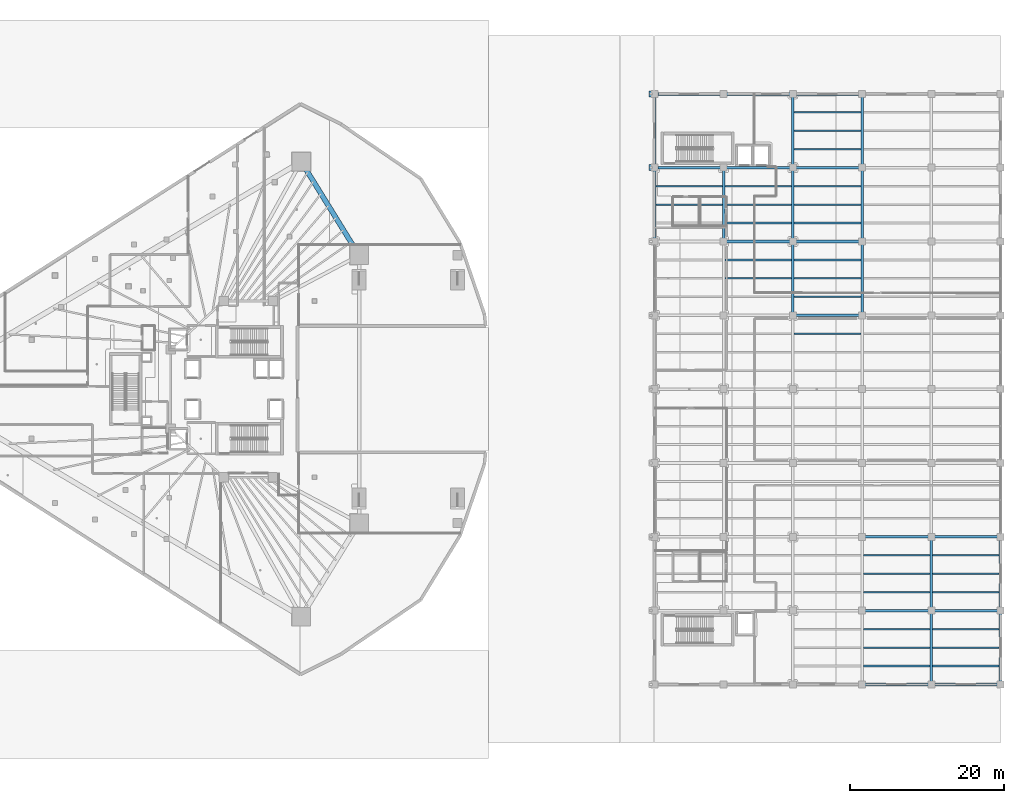
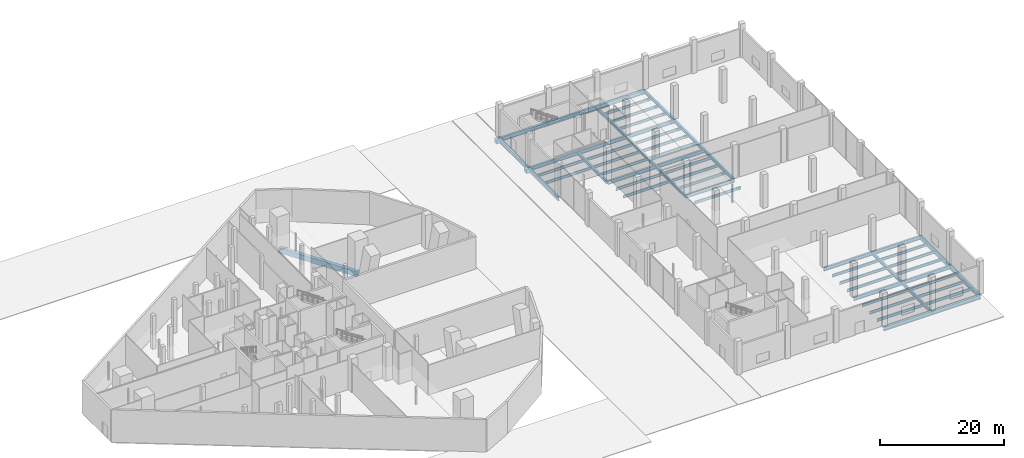
# One storey, part 11 of 45: 60 beams.
"""IFC4 building model written with IfcOpenShell, lengths in metres."""

from ifc_helpers import new_model, si_unit, direction, frame, origin, origin_2d, place, context, subcontext, project, spatial, rectangle, i_section, extrude, material, material_profile, profile_set, type_object, element, save


model = new_model("IFC4")

# Units and contexts
model_context = context("Model", 3, precision=1e-05, world=origin(), true_north=direction((0.0, 1.0)))
body_context = subcontext(model_context, "Body", "Model", "MODEL_VIEW")
ifc_project = project(units=[si_unit("LENGTHUNIT", "METRE"), si_unit("AREAUNIT", "SQUARE_METRE"), si_unit("VOLUMEUNIT", "CUBIC_METRE"), si_unit("PLANEANGLEUNIT", "RADIAN"), si_unit("MASSUNIT", "GRAM", prefix="KILO")], contexts=[model_context])

# Site, building, storey
site_placement = place(None, origin())
site = spatial("IfcSite", under=ifc_project, at=site_placement, CompositionType="ELEMENT")
building_placement = place(site_placement, origin())
building = spatial("IfcBuilding", under=site, at=building_placement, Name="Qorvath Tower", CompositionType="ELEMENT")
storey_placement = place(building_placement, origin())
storey = spatial("IfcBuildingStorey", under=building, at=storey_placement, Name="L00", CompositionType="ELEMENT", Elevation=0.0)

# Beams
ifc_material_1 = material(Name="Concrete C50/60", Category="concrete")
ifc_material_profile_1 = material_profile(ifc_material_1, rectangle(XDim=0.800048828125, YDim=0.800048828125, at=origin_2d()), Name="RC 800x800")
ifc_profile_set_1 = profile_set([ifc_material_profile_1], Name="Concrete C50/60")
beam_type_1 = type_object("IfcBeamType", Name="BM-CRB1", PredefinedType="BEAM", material=ifc_profile_set_1)
for number, where, z_axis, x_axis, name in (
    (1, (32.85009765625, 28.800048828125, -0.75), (-1.0, 0.0, 0.0), (0.0, -1.0, 0.0), "MJ-1 RC Bearing Corbel Bracket 08"),
    (2, (32.85009765625, 38.39990234375, -0.75), (-1.0, 0.0, 0.0), (0.0, -1.0, 0.0), "MJ-1 RC Bearing Corbel Bracket 09"),
):
    element("IfcBeam", number, at=place(storey_placement, frame(where, z_axis=z_axis, x_axis=x_axis)), inside=storey, type_object=beam_type_1, Name=name, PredefinedType="BEAM", context=body_context, shape_type="SweptSolid", body=[
        extrude(rectangle(XDim=0.800048828125, YDim=0.800048828125, at=origin_2d()), origin(), (0.0, 0.0, 1.0), 1.150146484375),
    ])
ifc_material_2 = material(Name="Steel ASTM A992 Grade 50", Category="steel")
ifc_material_profile_2 = material_profile(ifc_material_2, i_section(OverallWidth=0.381103515625, OverallDepth=0.77294921875, WebThickness=0.0166015625, FlangeThickness=0.027099609375, FilletRadius=0.01904296875, at=origin_2d()), Name="W30x173")
ifc_profile_set_2 = profile_set([ifc_material_profile_2], Name="Steel ASTM A992 Grade 50")
beam_type_2 = type_object("IfcBeamType", Name="BM-FG3", PredefinedType="BEAM", material=ifc_profile_set_2)
for number, where, z_axis, x_axis, name in (
    (3, (59.39990234375, -38.39990234375, -0.6865234375), (1.0, 0.0, 0.0), (0.0, 1.0, 0.0), "Library E-W Girder L00-1-4"),
    (4, (68.39990234375, -38.39990234375, -0.6865234375), (1.0, 0.0, 0.0), (0.0, 1.0, 0.0), "Library E-W Girder L00-1-5"),
    (5, (32.39990234375, 38.39990234375, -0.6865234375), (1.0, 0.0, 0.0), (0.0, 1.0, 0.0), "Library E-W Girder L00-9-1"),
    (6, (41.39990234375, 38.39990234375, -0.6865234375), (1.0, 0.0, 0.0), (0.0, 1.0, 0.0), "Library E-W Girder L00-9-2"),
    (7, (50.39990234375, 38.39990234375, -0.6865234375), (1.0, 0.0, 0.0), (0.0, 1.0, 0.0), "Library E-W Girder L00-9-3"),
):
    element("IfcBeam", number, at=place(storey_placement, frame(where, z_axis=z_axis, x_axis=x_axis)), inside=storey, type_object=beam_type_2, Name=name, PredefinedType="BEAM", context=body_context, shape_type="SweptSolid", body=[
        extrude(i_section(OverallWidth=0.381103515625, OverallDepth=0.77294921875, WebThickness=0.0166015625, FlangeThickness=0.027099609375, FilletRadius=0.01904296875, at=origin_2d()), origin(), (0.0, 0.0, 1.0), 9.0),
    ])
beam_1_placement = place(storey_placement, frame((32.39990234375, 19.199951171875, -0.6865234375), z_axis=(0.0, 1.0, 0.0), x_axis=(-1.0, 0.0, 0.0)))
element("IfcBeam", 8, at=beam_1_placement, inside=storey, type_object=beam_type_2, Name="Library N-S Girder L00-1-7", PredefinedType="BEAM", context=body_context, shape_type="SweptSolid", body=[
    extrude(i_section(OverallWidth=0.381103515625, OverallDepth=0.77294921875, WebThickness=0.0166015625, FlangeThickness=0.027099609375, FilletRadius=0.01904296875, at=origin_2d()), origin(), (0.0, 0.0, 1.0), 9.60009765625),
])
for number, where, z_axis, x_axis, name in (
    (9, (32.39990234375, 28.800048828125, -0.6865234375), (0.0, 1.0, 0.0), (-1.0, 0.0, 0.0), "Library N-S Girder L00-1-8"),
    (10, (77.39990234375, -38.39990234375, -0.6865234375), (0.0, 1.0, 0.0), (-1.0, 0.0, 0.0), "Library N-S Girder L00-6-1"),
):
    element("IfcBeam", number, at=place(storey_placement, frame(where, z_axis=z_axis, x_axis=x_axis)), inside=storey, type_object=beam_type_2, Name=name, PredefinedType="BEAM", context=body_context, shape_type="SweptSolid", body=[
        extrude(i_section(OverallWidth=0.381103515625, OverallDepth=0.77294921875, WebThickness=0.0166015625, FlangeThickness=0.027099609375, FilletRadius=0.01904296875, at=origin_2d()), origin(), (0.0, 0.0, 1.0), 9.599853515625),
    ])
beam_2_placement = place(storey_placement, frame((77.39990234375, -28.800048828125, -0.6865234375), z_axis=(0.0, 1.0, 0.0), x_axis=(-1.0, 0.0, 0.0)))
element("IfcBeam", 11, at=beam_2_placement, inside=storey, type_object=beam_type_2, Name="Library N-S Girder L00-6-2", PredefinedType="BEAM", context=body_context, shape_type="SweptSolid", body=[
    extrude(i_section(OverallWidth=0.381103515625, OverallDepth=0.77294921875, WebThickness=0.0166015625, FlangeThickness=0.027099609375, FilletRadius=0.01904296875, at=origin_2d()), origin(), (0.0, 0.0, 1.0), 9.60009765625),
])
ifc_material_3 = material(Name="Steel ASTM A992 Grade 50", Category="steel")
ifc_material_profile_3 = material_profile(ifc_material_3, i_section(OverallWidth=0.35595703125, OverallDepth=0.696044921875, WebThickness=0.015380859375, FlangeThickness=0.02490234375, FilletRadius=0.01806640625, at=origin_2d()), Name="W27x146")
ifc_profile_set_3 = profile_set([ifc_material_profile_3], Name="Steel ASTM A992 Grade 50")
beam_type_3 = type_object("IfcBeamType", Name="BM-FG4", PredefinedType="BEAM", material=ifc_profile_set_3)
for number, where, z_axis, x_axis, name in (
    (12, (59.39990234375, -28.800048828125, -0.64794921875), (1.0, 0.0, 0.0), (0.0, 1.0, 0.0), "Library E-W Girder L00-2-4"),
    (13, (68.39990234375, -28.800048828125, -0.64794921875), (1.0, 0.0, 0.0), (0.0, 1.0, 0.0), "Library E-W Girder L00-2-5"),
    (14, (59.39990234375, -19.199951171875, -0.64794921875), (1.0, 0.0, 0.0), (0.0, 1.0, 0.0), "Library E-W Girder L00-3-4"),
    (15, (68.39990234375, -19.199951171875, -0.64794921875), (1.0, 0.0, 0.0), (0.0, 1.0, 0.0), "Library E-W Girder L00-3-5"),
    (16, (50.39990234375, 9.60009765625, -0.64794921875), (1.0, 0.0, 0.0), (0.0, 1.0, 0.0), "Library E-W Girder L00-6-3"),
    (17, (41.39990234375, 19.199951171875, -0.64794921875), (1.0, 0.0, 0.0), (0.0, 1.0, 0.0), "Library E-W Girder L00-7-2"),
    (18, (50.39990234375, 19.199951171875, -0.64794921875), (1.0, 0.0, 0.0), (0.0, 1.0, 0.0), "Library E-W Girder L00-7-3"),
    (19, (32.39990234375, 28.800048828125, -0.64794921875), (1.0, 0.0, 0.0), (0.0, 1.0, 0.0), "Library E-W Girder L00-8-1"),
    (20, (41.39990234375, 28.800048828125, -0.64794921875), (1.0, 0.0, 0.0), (0.0, 1.0, 0.0), "Library E-W Girder L00-8-2"),
    (21, (50.39990234375, 28.800048828125, -0.64794921875), (1.0, 0.0, 0.0), (0.0, 1.0, 0.0), "Library E-W Girder L00-8-3"),
):
    element("IfcBeam", number, at=place(storey_placement, frame(where, z_axis=z_axis, x_axis=x_axis)), inside=storey, type_object=beam_type_3, Name=name, PredefinedType="BEAM", context=body_context, shape_type="SweptSolid", body=[
        extrude(i_section(OverallWidth=0.35595703125, OverallDepth=0.696044921875, WebThickness=0.015380859375, FlangeThickness=0.02490234375, FilletRadius=0.01806640625, at=origin_2d()), origin(), (0.0, 0.0, 1.0), 9.0),
    ])
ifc_material_4 = material(Name="Steel ASTM A992 Grade 50", Category="steel")
ifc_material_profile_4 = material_profile(ifc_material_4, i_section(OverallWidth=0.324951171875, OverallDepth=0.615966796875, WebThickness=0.013916015625, FlangeThickness=0.021484375, FilletRadius=0.01611328125, at=origin_2d()), Name="W24x117")
ifc_profile_set_4 = profile_set([ifc_material_profile_4], Name="Steel ASTM A992 Grade 50")
beam_type_4 = type_object("IfcBeamType", Name="BM-FG5", PredefinedType="BEAM", material=ifc_profile_set_4)
beam_3_placement = place(storey_placement, frame((41.39990234375, 19.199951171875, -0.60791015625), z_axis=(0.0, 1.0, 0.0), x_axis=(-1.0, 0.0, 0.0)))
element("IfcBeam", 22, at=beam_3_placement, inside=storey, type_object=beam_type_4, Name="Library N-S Girder L00-2-7", PredefinedType="BEAM", context=body_context, shape_type="SweptSolid", body=[
    extrude(i_section(OverallWidth=0.324951171875, OverallDepth=0.615966796875, WebThickness=0.013916015625, FlangeThickness=0.021484375, FilletRadius=0.01611328125, at=origin_2d()), origin(), (0.0, 0.0, 1.0), 9.60009765625),
])
beam_4_placement = place(storey_placement, frame((50.39990234375, 9.60009765625, -0.60791015625), z_axis=(0.0, 1.0, 0.0), x_axis=(-1.0, 0.0, 0.0)))
element("IfcBeam", 23, at=beam_4_placement, inside=storey, type_object=beam_type_4, Name="Library N-S Girder L00-3-6", PredefinedType="BEAM", context=body_context, shape_type="SweptSolid", body=[
    extrude(i_section(OverallWidth=0.324951171875, OverallDepth=0.615966796875, WebThickness=0.013916015625, FlangeThickness=0.021484375, FilletRadius=0.01611328125, at=origin_2d()), origin(), (0.0, 0.0, 1.0), 9.599853515625),
])
beam_5_placement = place(storey_placement, frame((50.39990234375, 19.199951171875, -0.60791015625), z_axis=(0.0, 1.0, 0.0), x_axis=(-1.0, 0.0, 0.0)))
element("IfcBeam", 24, at=beam_5_placement, inside=storey, type_object=beam_type_4, Name="Library N-S Girder L00-3-7", PredefinedType="BEAM", context=body_context, shape_type="SweptSolid", body=[
    extrude(i_section(OverallWidth=0.324951171875, OverallDepth=0.615966796875, WebThickness=0.013916015625, FlangeThickness=0.021484375, FilletRadius=0.01611328125, at=origin_2d()), origin(), (0.0, 0.0, 1.0), 9.60009765625),
])
for number, where, z_axis, x_axis, name in (
    (25, (50.39990234375, 28.800048828125, -0.60791015625), (0.0, 1.0, 0.0), (-1.0, 0.0, 0.0), "Library N-S Girder L00-3-8"),
    (26, (59.39990234375, 9.60009765625, -0.60791015625), (0.0, 1.0, 0.0), (-1.0, 0.0, 0.0), "Library N-S Girder L00-4-6"),
):
    element("IfcBeam", number, at=place(storey_placement, frame(where, z_axis=z_axis, x_axis=x_axis)), inside=storey, type_object=beam_type_4, Name=name, PredefinedType="BEAM", context=body_context, shape_type="SweptSolid", body=[
        extrude(i_section(OverallWidth=0.324951171875, OverallDepth=0.615966796875, WebThickness=0.013916015625, FlangeThickness=0.021484375, FilletRadius=0.01611328125, at=origin_2d()), origin(), (0.0, 0.0, 1.0), 9.599853515625),
    ])
beam_6_placement = place(storey_placement, frame((59.39990234375, 19.199951171875, -0.60791015625), z_axis=(0.0, 1.0, 0.0), x_axis=(-1.0, 0.0, 0.0)))
element("IfcBeam", 27, at=beam_6_placement, inside=storey, type_object=beam_type_4, Name="Library N-S Girder L00-4-7", PredefinedType="BEAM", context=body_context, shape_type="SweptSolid", body=[
    extrude(i_section(OverallWidth=0.324951171875, OverallDepth=0.615966796875, WebThickness=0.013916015625, FlangeThickness=0.021484375, FilletRadius=0.01611328125, at=origin_2d()), origin(), (0.0, 0.0, 1.0), 9.60009765625),
])
for number, where, z_axis, x_axis, name in (
    (28, (59.39990234375, 28.800048828125, -0.60791015625), (0.0, 1.0, 0.0), (-1.0, 0.0, 0.0), "Library N-S Girder L00-4-8"),
    (29, (68.39990234375, -38.39990234375, -0.60791015625), (0.0, 1.0, 0.0), (-1.0, 0.0, 0.0), "Library N-S Girder L00-5-1"),
):
    element("IfcBeam", number, at=place(storey_placement, frame(where, z_axis=z_axis, x_axis=x_axis)), inside=storey, type_object=beam_type_4, Name=name, PredefinedType="BEAM", context=body_context, shape_type="SweptSolid", body=[
        extrude(i_section(OverallWidth=0.324951171875, OverallDepth=0.615966796875, WebThickness=0.013916015625, FlangeThickness=0.021484375, FilletRadius=0.01611328125, at=origin_2d()), origin(), (0.0, 0.0, 1.0), 9.599853515625),
    ])
beam_7_placement = place(storey_placement, frame((68.39990234375, -28.800048828125, -0.60791015625), z_axis=(0.0, 1.0, 0.0), x_axis=(-1.0, 0.0, 0.0)))
element("IfcBeam", 30, at=beam_7_placement, inside=storey, type_object=beam_type_4, Name="Library N-S Girder L00-5-2", PredefinedType="BEAM", context=body_context, shape_type="SweptSolid", body=[
    extrude(i_section(OverallWidth=0.324951171875, OverallDepth=0.615966796875, WebThickness=0.013916015625, FlangeThickness=0.021484375, FilletRadius=0.01611328125, at=origin_2d()), origin(), (0.0, 0.0, 1.0), 9.60009765625),
])
ifc_material_5 = material(Name="Steel ASTM A992 Grade 50", Category="steel")
ifc_material_profile_5 = material_profile(ifc_material_5, i_section(OverallWidth=0.2119140625, OverallDepth=0.5439453125, WebThickness=0.01318359375, FlangeThickness=0.021240234375, FilletRadius=0.013916015625, at=origin_2d()), Name="W21x83")
ifc_profile_set_5 = profile_set([ifc_material_profile_5], Name="Steel ASTM A992 Grade 50")
beam_type_5 = type_object("IfcBeamType", Name="BM-FJ1", PredefinedType="JOIST", material=ifc_profile_set_5)
beam_8_placement = place(storey_placement, frame((59.560546875, -36.0, -0.572021484375), z_axis=(1.0, 0.0, 0.0), x_axis=(0.0, 1.0, 0.0)))
element("IfcBeam", 31, at=beam_8_placement, inside=storey, type_object=beam_type_5, Name="Library Stack Joist L00-1.1-4", PredefinedType="JOIST", context=body_context, shape_type="SweptSolid", body=[
    extrude(i_section(OverallWidth=0.2119140625, OverallDepth=0.5439453125, WebThickness=0.01318359375, FlangeThickness=0.021240234375, FilletRadius=0.013916015625, at=origin_2d()), origin(), (0.0, 0.0, 1.0), 8.678955078125),
])
beam_9_placement = place(storey_placement, frame((68.560546875, -36.0, -0.572021484375), z_axis=(1.0, 0.0, 0.0), x_axis=(0.0, 1.0, 0.0)))
element("IfcBeam", 32, at=beam_9_placement, inside=storey, type_object=beam_type_5, Name="Library Stack Joist L00-1.1-5", PredefinedType="JOIST", context=body_context, shape_type="SweptSolid", body=[
    extrude(i_section(OverallWidth=0.2119140625, OverallDepth=0.5439453125, WebThickness=0.01318359375, FlangeThickness=0.021240234375, FilletRadius=0.013916015625, at=origin_2d()), origin(), (0.0, 0.0, 1.0), 8.65087890625),
])
beam_10_placement = place(storey_placement, frame((59.560546875, -33.60009765625, -0.572021484375), z_axis=(1.0, 0.0, 0.0), x_axis=(0.0, 1.0, 0.0)))
element("IfcBeam", 33, at=beam_10_placement, inside=storey, type_object=beam_type_5, Name="Library Stack Joist L00-1.2-4", PredefinedType="JOIST", context=body_context, shape_type="SweptSolid", body=[
    extrude(i_section(OverallWidth=0.2119140625, OverallDepth=0.5439453125, WebThickness=0.01318359375, FlangeThickness=0.021240234375, FilletRadius=0.013916015625, at=origin_2d()), origin(), (0.0, 0.0, 1.0), 8.678955078125),
])
beam_11_placement = place(storey_placement, frame((68.560546875, -33.60009765625, -0.572021484375), z_axis=(1.0, 0.0, 0.0), x_axis=(0.0, 1.0, 0.0)))
element("IfcBeam", 34, at=beam_11_placement, inside=storey, type_object=beam_type_5, Name="Library Stack Joist L00-1.2-5", PredefinedType="JOIST", context=body_context, shape_type="SweptSolid", body=[
    extrude(i_section(OverallWidth=0.2119140625, OverallDepth=0.5439453125, WebThickness=0.01318359375, FlangeThickness=0.021240234375, FilletRadius=0.013916015625, at=origin_2d()), origin(), (0.0, 0.0, 1.0), 8.65087890625),
])
beam_12_placement = place(storey_placement, frame((59.560546875, -31.199951171875, -0.572021484375), z_axis=(1.0, 0.0, 0.0), x_axis=(0.0, 1.0, 0.0)))
element("IfcBeam", 35, at=beam_12_placement, inside=storey, type_object=beam_type_5, Name="Library Stack Joist L00-1.3-4", PredefinedType="JOIST", context=body_context, shape_type="SweptSolid", body=[
    extrude(i_section(OverallWidth=0.2119140625, OverallDepth=0.5439453125, WebThickness=0.01318359375, FlangeThickness=0.021240234375, FilletRadius=0.013916015625, at=origin_2d()), origin(), (0.0, 0.0, 1.0), 8.678955078125),
])
beam_13_placement = place(storey_placement, frame((68.560546875, -31.199951171875, -0.572021484375), z_axis=(1.0, 0.0, 0.0), x_axis=(0.0, 1.0, 0.0)))
element("IfcBeam", 36, at=beam_13_placement, inside=storey, type_object=beam_type_5, Name="Library Stack Joist L00-1.3-5", PredefinedType="JOIST", context=body_context, shape_type="SweptSolid", body=[
    extrude(i_section(OverallWidth=0.2119140625, OverallDepth=0.5439453125, WebThickness=0.01318359375, FlangeThickness=0.021240234375, FilletRadius=0.013916015625, at=origin_2d()), origin(), (0.0, 0.0, 1.0), 8.65087890625),
])
beam_14_placement = place(storey_placement, frame((59.560546875, -26.39990234375, -0.572021484375), z_axis=(1.0, 0.0, 0.0), x_axis=(0.0, 1.0, 0.0)))
element("IfcBeam", 37, at=beam_14_placement, inside=storey, type_object=beam_type_5, Name="Library Stack Joist L00-2.1-4", PredefinedType="JOIST", context=body_context, shape_type="SweptSolid", body=[
    extrude(i_section(OverallWidth=0.2119140625, OverallDepth=0.5439453125, WebThickness=0.01318359375, FlangeThickness=0.021240234375, FilletRadius=0.013916015625, at=origin_2d()), origin(), (0.0, 0.0, 1.0), 8.678955078125),
])
beam_15_placement = place(storey_placement, frame((68.560546875, -26.39990234375, -0.572021484375), z_axis=(1.0, 0.0, 0.0), x_axis=(0.0, 1.0, 0.0)))
element("IfcBeam", 38, at=beam_15_placement, inside=storey, type_object=beam_type_5, Name="Library Stack Joist L00-2.1-5", PredefinedType="JOIST", context=body_context, shape_type="SweptSolid", body=[
    extrude(i_section(OverallWidth=0.2119140625, OverallDepth=0.5439453125, WebThickness=0.01318359375, FlangeThickness=0.021240234375, FilletRadius=0.013916015625, at=origin_2d()), origin(), (0.0, 0.0, 1.0), 8.65087890625),
])
beam_16_placement = place(storey_placement, frame((59.560546875, -24.0, -0.572021484375), z_axis=(1.0, 0.0, 0.0), x_axis=(0.0, 1.0, 0.0)))
element("IfcBeam", 39, at=beam_16_placement, inside=storey, type_object=beam_type_5, Name="Library Stack Joist L00-2.2-4", PredefinedType="JOIST", context=body_context, shape_type="SweptSolid", body=[
    extrude(i_section(OverallWidth=0.2119140625, OverallDepth=0.5439453125, WebThickness=0.01318359375, FlangeThickness=0.021240234375, FilletRadius=0.013916015625, at=origin_2d()), origin(), (0.0, 0.0, 1.0), 8.678955078125),
])
beam_17_placement = place(storey_placement, frame((68.560546875, -24.0, -0.572021484375), z_axis=(1.0, 0.0, 0.0), x_axis=(0.0, 1.0, 0.0)))
element("IfcBeam", 40, at=beam_17_placement, inside=storey, type_object=beam_type_5, Name="Library Stack Joist L00-2.2-5", PredefinedType="JOIST", context=body_context, shape_type="SweptSolid", body=[
    extrude(i_section(OverallWidth=0.2119140625, OverallDepth=0.5439453125, WebThickness=0.01318359375, FlangeThickness=0.021240234375, FilletRadius=0.013916015625, at=origin_2d()), origin(), (0.0, 0.0, 1.0), 8.65087890625),
])
beam_18_placement = place(storey_placement, frame((59.560546875, -21.60009765625, -0.572021484375), z_axis=(1.0, 0.0, 0.0), x_axis=(0.0, 1.0, 0.0)))
element("IfcBeam", 41, at=beam_18_placement, inside=storey, type_object=beam_type_5, Name="Library Stack Joist L00-2.3-4", PredefinedType="JOIST", context=body_context, shape_type="SweptSolid", body=[
    extrude(i_section(OverallWidth=0.2119140625, OverallDepth=0.5439453125, WebThickness=0.01318359375, FlangeThickness=0.021240234375, FilletRadius=0.013916015625, at=origin_2d()), origin(), (0.0, 0.0, 1.0), 8.678955078125),
])
beam_19_placement = place(storey_placement, frame((68.560546875, -21.60009765625, -0.572021484375), z_axis=(1.0, 0.0, 0.0), x_axis=(0.0, 1.0, 0.0)))
element("IfcBeam", 42, at=beam_19_placement, inside=storey, type_object=beam_type_5, Name="Library Stack Joist L00-2.3-5", PredefinedType="JOIST", context=body_context, shape_type="SweptSolid", body=[
    extrude(i_section(OverallWidth=0.2119140625, OverallDepth=0.5439453125, WebThickness=0.01318359375, FlangeThickness=0.021240234375, FilletRadius=0.013916015625, at=origin_2d()), origin(), (0.0, 0.0, 1.0), 8.65087890625),
])
for number, where, z_axis, x_axis, name in (
    (43, (50.560546875, 7.199951171875, -0.572021484375), (1.0, 0.0, 0.0), (0.0, 1.0, 0.0), "Library Stack Joist L00-5.3-3"),
    (44, (50.560546875, 12.0, -0.572021484375), (1.0, 0.0, 0.0), (0.0, 1.0, 0.0), "Library Stack Joist L00-6.1-3"),
    (45, (41.560546875, 14.39990234375, -0.572021484375), (1.0, 0.0, 0.0), (0.0, 1.0, 0.0), "Library Stack Joist L00-6.2-2"),
    (46, (50.560546875, 14.39990234375, -0.572021484375), (1.0, 0.0, 0.0), (0.0, 1.0, 0.0), "Library Stack Joist L00-6.2-3"),
    (47, (41.560546875, 16.800048828125, -0.572021484375), (1.0, 0.0, 0.0), (0.0, 1.0, 0.0), "Library Stack Joist L00-6.3-2"),
    (48, (50.560546875, 16.800048828125, -0.572021484375), (1.0, 0.0, 0.0), (0.0, 1.0, 0.0), "Library Stack Joist L00-6.3-3"),
    (49, (41.560546875, 21.60009765625, -0.572021484375), (1.0, 0.0, 0.0), (0.0, 1.0, 0.0), "Library Stack Joist L00-7.1-2"),
    (50, (50.560546875, 21.60009765625, -0.572021484375), (1.0, 0.0, 0.0), (0.0, 1.0, 0.0), "Library Stack Joist L00-7.1-3"),
):
    element("IfcBeam", number, at=place(storey_placement, frame(where, z_axis=z_axis, x_axis=x_axis)), inside=storey, type_object=beam_type_5, Name=name, PredefinedType="JOIST", context=body_context, shape_type="SweptSolid", body=[
        extrude(i_section(OverallWidth=0.2119140625, OverallDepth=0.5439453125, WebThickness=0.01318359375, FlangeThickness=0.021240234375, FilletRadius=0.013916015625, at=origin_2d()), origin(), (0.0, 0.0, 1.0), 8.678955078125),
    ])
beam_20_placement = place(storey_placement, frame((32.58837890625, 24.0, -0.572021484375), z_axis=(1.0, 0.0, 0.0), x_axis=(0.0, 1.0, 0.0)))
element("IfcBeam", 51, at=beam_20_placement, inside=storey, type_object=beam_type_5, Name="Library Stack Joist L00-7.2-1", PredefinedType="JOIST", context=body_context, shape_type="SweptSolid", body=[
    extrude(i_section(OverallWidth=0.2119140625, OverallDepth=0.5439453125, WebThickness=0.01318359375, FlangeThickness=0.021240234375, FilletRadius=0.013916015625, at=origin_2d()), origin(), (0.0, 0.0, 1.0), 8.651123046875),
])
for number, where, z_axis, x_axis, name in (
    (52, (41.560546875, 24.0, -0.572021484375), (1.0, 0.0, 0.0), (0.0, 1.0, 0.0), "Library Stack Joist L00-7.2-2"),
    (53, (50.560546875, 24.0, -0.572021484375), (1.0, 0.0, 0.0), (0.0, 1.0, 0.0), "Library Stack Joist L00-7.2-3"),
):
    element("IfcBeam", number, at=place(storey_placement, frame(where, z_axis=z_axis, x_axis=x_axis)), inside=storey, type_object=beam_type_5, Name=name, PredefinedType="JOIST", context=body_context, shape_type="SweptSolid", body=[
        extrude(i_section(OverallWidth=0.2119140625, OverallDepth=0.5439453125, WebThickness=0.01318359375, FlangeThickness=0.021240234375, FilletRadius=0.013916015625, at=origin_2d()), origin(), (0.0, 0.0, 1.0), 8.678955078125),
    ])
beam_21_placement = place(storey_placement, frame((32.58837890625, 26.39990234375, -0.572021484375), z_axis=(1.0, 0.0, 0.0), x_axis=(0.0, 1.0, 0.0)))
element("IfcBeam", 54, at=beam_21_placement, inside=storey, type_object=beam_type_5, Name="Library Stack Joist L00-7.3-1", PredefinedType="JOIST", context=body_context, shape_type="SweptSolid", body=[
    extrude(i_section(OverallWidth=0.2119140625, OverallDepth=0.5439453125, WebThickness=0.01318359375, FlangeThickness=0.021240234375, FilletRadius=0.013916015625, at=origin_2d()), origin(), (0.0, 0.0, 1.0), 8.651123046875),
])
for number, where, z_axis, x_axis, name in (
    (55, (41.560546875, 26.39990234375, -0.572021484375), (1.0, 0.0, 0.0), (0.0, 1.0, 0.0), "Library Stack Joist L00-7.3-2"),
    (56, (50.560546875, 26.39990234375, -0.572021484375), (1.0, 0.0, 0.0), (0.0, 1.0, 0.0), "Library Stack Joist L00-7.3-3"),
    (57, (50.560546875, 31.199951171875, -0.572021484375), (1.0, 0.0, 0.0), (0.0, 1.0, 0.0), "Library Stack Joist L00-8.1-3"),
    (58, (50.560546875, 33.60009765625, -0.572021484375), (1.0, 0.0, 0.0), (0.0, 1.0, 0.0), "Library Stack Joist L00-8.2-3"),
    (59, (50.560546875, 36.0, -0.572021484375), (1.0, 0.0, 0.0), (0.0, 1.0, 0.0), "Library Stack Joist L00-8.3-3"),
):
    element("IfcBeam", number, at=place(storey_placement, frame(where, z_axis=z_axis, x_axis=x_axis)), inside=storey, type_object=beam_type_5, Name=name, PredefinedType="JOIST", context=body_context, shape_type="SweptSolid", body=[
        extrude(i_section(OverallWidth=0.2119140625, OverallDepth=0.5439453125, WebThickness=0.01318359375, FlangeThickness=0.021240234375, FilletRadius=0.013916015625, at=origin_2d()), origin(), (0.0, 0.0, 1.0), 8.678955078125),
    ])
ifc_material_6 = material(Name="Concrete C50/60", Category="concrete")
ifc_material_profile_6 = material_profile(ifc_material_6, rectangle(XDim=0.64990234375, YDim=1.0, at=origin_2d()), Name="RCB 1000x650")
ifc_profile_set_6 = profile_set([ifc_material_profile_6], Name="Concrete C50/60")
beam_type_6 = type_object("IfcBeamType", Name="BM-RCB1", PredefinedType="SPANDREL", material=ifc_profile_set_6)
beam_22_placement = place(storey_placement, frame((-6.0, 17.39990234375, -0.800048828125), z_axis=(-0.525713426157, 0.850661738624, 0.0), x_axis=(-0.850661738624, -0.525713426157, 0.0)))
element("IfcBeam", 60, at=beam_22_placement, inside=storey, type_object=beam_type_6, Name="Perimeter Loggia Frame Beam MC5-MC6 L00", PredefinedType="SPANDREL", context=body_context, shape_type="SweptSolid", body=[
    extrude(rectangle(XDim=0.64990234375, YDim=1.0, at=origin_2d()), origin(), (0.0, 0.0, 1.0), 14.304443359375),
])

save(model, "model.ifc")
